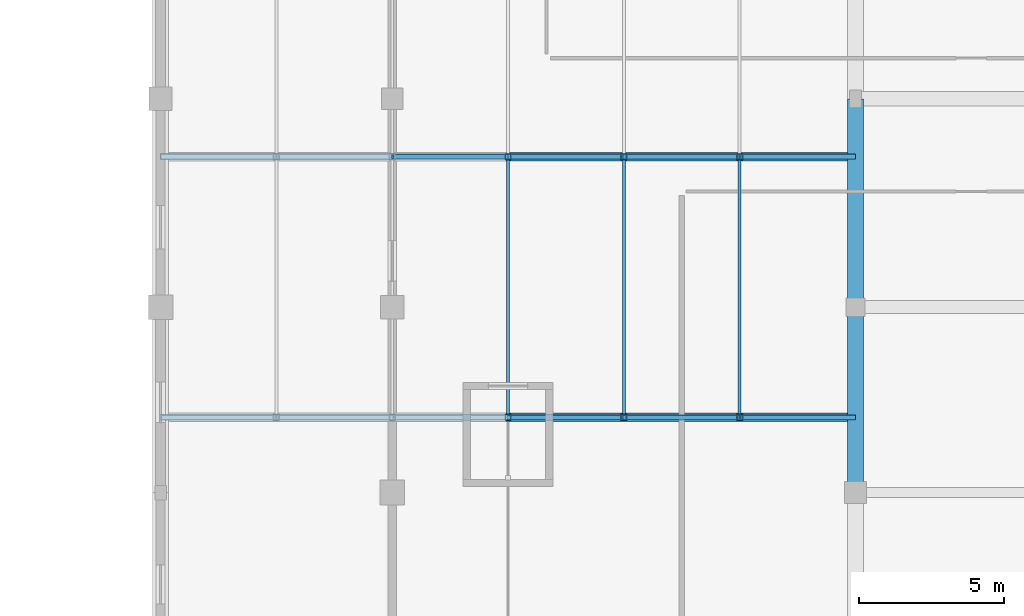
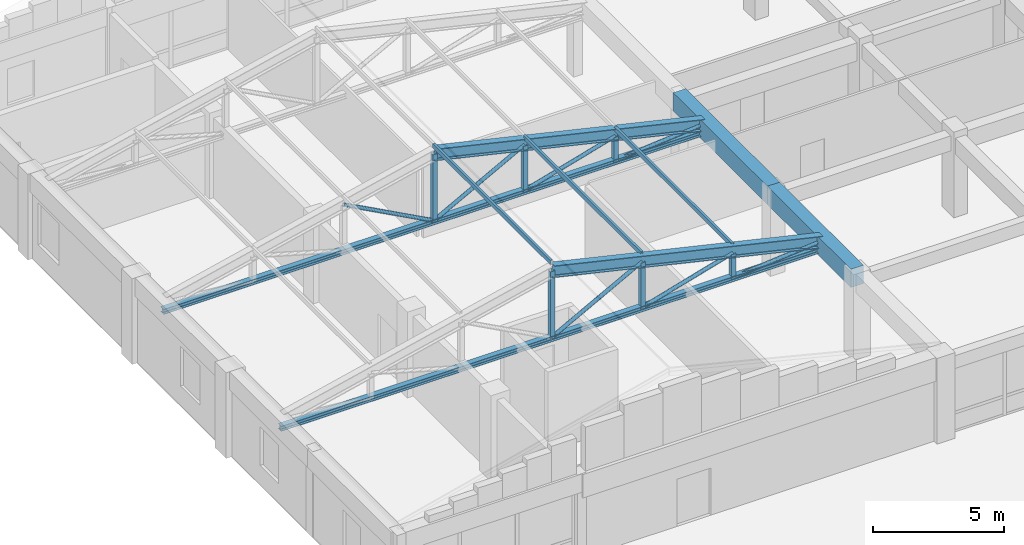
# One storey, part 4 of 27: 20 members, 2 beams.
"""IFC4 building model written with IfcOpenShell, lengths in metres."""

from ifc_helpers import new_model, si_unit, direction, frame, origin, origin_2d, place, context, subcontext, project, spatial, rectangle, hollow_rectangle, hollow_circle, i_section, extrude, material, material_profile, profile_set, type_object, element, save


model = new_model("IFC4")

# Units and contexts
model_context = context("Model", 3, precision=1e-05, world=origin(), true_north=direction((0.0, 1.0)))
body_context = subcontext(model_context, "Body", "Model", "MODEL_VIEW")
ifc_project = project(units=[si_unit("LENGTHUNIT", "METRE"), si_unit("AREAUNIT", "SQUARE_METRE"), si_unit("VOLUMEUNIT", "CUBIC_METRE"), si_unit("PLANEANGLEUNIT", "RADIAN"), si_unit("MASSUNIT", "GRAM", prefix="KILO")], contexts=[model_context])

# Site, building, storey
site_placement = place(None, origin())
site = spatial("IfcSite", under=ifc_project, at=site_placement, CompositionType="ELEMENT")
building_placement = place(site_placement, origin())
building = spatial("IfcBuilding", under=site, at=building_placement, Name="Vellmiral Cinema and Media Centre", CompositionType="ELEMENT")
storey_placement = place(building_placement, frame((0.0, 0.0, 19.800048828125)))
storey = spatial("IfcBuildingStorey", under=building, at=storey_placement, Name="L04", CompositionType="ELEMENT", Elevation=19.800048828125)

# Members
ifc_material_1 = material(Name="Steel S355", Category="steel")
ifc_material_profile_1 = material_profile(ifc_material_1, hollow_rectangle(XDim=0.10009765625, YDim=0.199951171875, WallThickness=0.008056640625, at=origin_2d()), Name="RHS 200x100x8.0")
ifc_profile_set_1 = profile_set([ifc_material_profile_1], Name="Steel S355")
member_type_1 = type_object("IfcMemberType", Name="PRL-RHS200", PredefinedType="PURLIN", material=ifc_profile_set_1)
for number, where, z_axis, x_axis, name in (
    (1, (90.39990234375, 68.199951171875, 6.85693359375), (0.0, 1.0, 0.0), (-1.0, 0.0, 0.0), "Roof Purlin VR-09.3.1"),
    (2, (94.39990234375, 68.199951171875, 5.859619140625), (0.0, 1.0, 0.0), (-1.0, 0.0, 0.0), "Roof Purlin VR-09.4.1"),
    (3, (98.39990234375, 68.199951171875, 4.8623046875), (0.0, 1.0, 0.0), (-1.0, 0.0, 0.0), "Roof Purlin VR-09.5.1"),
):
    element("IfcMember", number, at=place(storey_placement, frame(where, z_axis=z_axis, x_axis=x_axis)), inside=storey, type_object=member_type_1, Name=name, PredefinedType="PURLIN", context=body_context, shape_type="SweptSolid", body=[
        extrude(hollow_rectangle(XDim=0.10009765625, YDim=0.199951171875, WallThickness=0.008056640625, at=origin_2d()), origin(), (0.0, 0.0, 1.0), 9.0),
    ])

# Beams
ifc_material_2 = material(Name="Concrete C40/50", Category="concrete")
ifc_material_profile_2 = material_profile(ifc_material_2, rectangle(XDim=0.550048828125, YDim=0.85009765625, at=origin_2d()), Name="RC 550x850")
ifc_profile_set_2 = profile_set([ifc_material_profile_2], Name="Concrete C40/50")
beam_type = type_object("IfcBeamType", Name="RING-BM-550x850", PredefinedType="BEAM", material=ifc_profile_set_2)
beam_1_placement = place(storey_placement, frame((102.39990234375, 65.60009765625, 3.574951171875), z_axis=(0.0, 1.0, 0.0), x_axis=(-1.0, 0.0, 0.0)))
element("IfcBeam", 4, at=beam_1_placement, inside=storey, type_object=beam_type, Name="Stepped Broadcast Bridge Barrel Vault Ring Beam 11", PredefinedType="BEAM", context=body_context, shape_type="SweptSolid", body=[
    extrude(rectangle(XDim=0.550048828125, YDim=0.85009765625, at=origin_2d()), origin(), (0.0, 0.0, 1.0), 6.39990234375),
])
beam_2_placement = place(storey_placement, frame((102.39990234375, 72.0, 3.574951171875), z_axis=(0.0, 1.0, 0.0), x_axis=(-1.0, 0.0, 0.0)))
element("IfcBeam", 5, at=beam_2_placement, inside=storey, type_object=beam_type, Name="Stepped Broadcast Bridge Barrel Vault Ring Beam 12", PredefinedType="BEAM", context=body_context, shape_type="SweptSolid", body=[
    extrude(rectangle(XDim=0.550048828125, YDim=0.85009765625, at=origin_2d()), origin(), (0.0, 0.0, 1.0), 7.199951171875),
])

# Members
ifc_material_3 = material(Name="Steel S355", Category="steel")
ifc_material_profile_3 = material_profile(ifc_material_3, hollow_circle(Radius=0.084228515625, WallThickness=0.008056640625, at=origin_2d()), Name="CHS 168.3x8.0")
ifc_profile_set_3 = profile_set([ifc_material_profile_3], Name="Steel S355")
member_type_2 = type_object("IfcMemberType", Name="TBR-CHS168", PredefinedType="BRACE", material=ifc_profile_set_3)
member_1_placement = place(storey_placement, frame((90.39990234375, 68.199951171875, 3.349853515625), z_axis=(0.880855783543, 0.0, 0.473384715216), x_axis=(0.0, 1.0, 0.0)))
element("IfcMember", 6, at=member_1_placement, inside=storey, type_object=member_type_2, Name="Roof Truss TR-09.1 Diagonal 4", PredefinedType="BRACE", context=body_context, shape_type="SweptSolid", body=[
    extrude(hollow_circle(Radius=0.084228515625, WallThickness=0.008056640625, at=origin_2d()), origin(), (0.0, 0.0, 1.0), 4.541015625),
])
member_2_placement = place(storey_placement, frame((94.39990234375, 68.199951171875, 3.349853515625), z_axis=(0.960919647927, 0.0, 0.276827437635), x_axis=(0.0, 1.0, 0.0)))
element("IfcMember", 7, at=member_2_placement, inside=storey, type_object=member_type_2, Name="Roof Truss TR-09.1 Diagonal 5", PredefinedType="BRACE", context=body_context, shape_type="SweptSolid", body=[
    extrude(hollow_circle(Radius=0.084228515625, WallThickness=0.008056640625, at=origin_2d()), origin(), (0.0, 0.0, 1.0), 4.16259765625),
])
member_3_placement = place(storey_placement, frame((98.39990234375, 68.199951171875, 3.349853515625), z_axis=(0.996191605278, 0.0, 0.087191086546), x_axis=(0.0, 1.0, 0.0)))
element("IfcMember", 8, at=member_3_placement, inside=storey, type_object=member_type_2, Name="Roof Truss TR-09.1 Diagonal 6", PredefinedType="BRACE", context=body_context, shape_type="SweptSolid", body=[
    extrude(hollow_circle(Radius=0.084228515625, WallThickness=0.008056640625, at=origin_2d()), origin(), (0.0, 0.0, 1.0), 4.015380859375),
])
for number, where, z_axis, x_axis, name in (
    (9, (86.39990234375, 77.199951171875, 5.49951171875), (0.880855783543, 0.0, -0.473384715216), (0.0, 1.0, 0.0), "Roof Truss TR-09.2 Diagonal 3"),
    (10, (90.39990234375, 77.199951171875, 3.349853515625), (0.880855783543, 0.0, 0.473384715216), (0.0, 1.0, 0.0), "Roof Truss TR-09.2 Diagonal 4"),
):
    element("IfcMember", number, at=place(storey_placement, frame(where, z_axis=z_axis, x_axis=x_axis)), inside=storey, type_object=member_type_2, Name=name, PredefinedType="BRACE", context=body_context, shape_type="SweptSolid", body=[
        extrude(hollow_circle(Radius=0.084228515625, WallThickness=0.008056640625, at=origin_2d()), origin(), (0.0, 0.0, 1.0), 4.541015625),
    ])
member_4_placement = place(storey_placement, frame((94.39990234375, 77.199951171875, 3.349853515625), z_axis=(0.960919647927, 0.0, 0.276827437635), x_axis=(0.0, 1.0, 0.0)))
element("IfcMember", 11, at=member_4_placement, inside=storey, type_object=member_type_2, Name="Roof Truss TR-09.2 Diagonal 5", PredefinedType="BRACE", context=body_context, shape_type="SweptSolid", body=[
    extrude(hollow_circle(Radius=0.084228515625, WallThickness=0.008056640625, at=origin_2d()), origin(), (0.0, 0.0, 1.0), 4.16259765625),
])
member_5_placement = place(storey_placement, frame((98.39990234375, 77.199951171875, 3.349853515625), z_axis=(0.996191605278, 0.0, 0.087191086546), x_axis=(0.0, 1.0, 0.0)))
element("IfcMember", 12, at=member_5_placement, inside=storey, type_object=member_type_2, Name="Roof Truss TR-09.2 Diagonal 6", PredefinedType="BRACE", context=body_context, shape_type="SweptSolid", body=[
    extrude(hollow_circle(Radius=0.084228515625, WallThickness=0.008056640625, at=origin_2d()), origin(), (0.0, 0.0, 1.0), 4.015380859375),
])
ifc_material_4 = material(Name="Steel S355", Category="steel")
ifc_material_profile_4 = material_profile(ifc_material_4, hollow_rectangle(XDim=0.199951171875, YDim=0.199951171875, WallThickness=0.010009765625, at=origin_2d()), Name="SHS 200x200x10.0")
ifc_profile_set_4 = profile_set([ifc_material_profile_4], Name="Steel S355")
member_type_3 = type_object("IfcMemberType", Name="TBR-SHS200", PredefinedType="BRACE", material=ifc_profile_set_4)
member_6_placement = place(storey_placement, frame((90.39990234375, 68.199951171875, 3.349853515625), z_axis=(0.0, 0.0, 1.0), x_axis=(1.0, 0.0, 0.0)))
element("IfcMember", 13, at=member_6_placement, inside=storey, type_object=member_type_3, Name="Roof Truss TR-09.1 Post 3", PredefinedType="BRACE", context=body_context, shape_type="SweptSolid", body=[
    extrude(hollow_rectangle(XDim=0.199951171875, YDim=0.199951171875, WallThickness=0.010009765625, at=origin_2d()), origin(), (0.0, 0.0, 1.0), 3.14697265625),
])
member_7_placement = place(storey_placement, frame((94.39990234375, 68.199951171875, 3.349853515625), z_axis=(0.0, 0.0, 1.0), x_axis=(1.0, 0.0, 0.0)))
element("IfcMember", 14, at=member_7_placement, inside=storey, type_object=member_type_3, Name="Roof Truss TR-09.1 Post 4", PredefinedType="BRACE", context=body_context, shape_type="SweptSolid", body=[
    extrude(hollow_rectangle(XDim=0.199951171875, YDim=0.199951171875, WallThickness=0.010009765625, at=origin_2d()), origin(), (0.0, 0.0, 1.0), 2.149658203125),
])
member_8_placement = place(storey_placement, frame((98.39990234375, 68.199951171875, 3.349853515625), z_axis=(0.0, 0.0, 1.0), x_axis=(1.0, 0.0, 0.0)))
element("IfcMember", 15, at=member_8_placement, inside=storey, type_object=member_type_3, Name="Roof Truss TR-09.1 Post 5", PredefinedType="BRACE", context=body_context, shape_type="SweptSolid", body=[
    extrude(hollow_rectangle(XDim=0.199951171875, YDim=0.199951171875, WallThickness=0.010009765625, at=origin_2d()), origin(), (0.0, 0.0, 1.0), 1.15234375),
])
member_9_placement = place(storey_placement, frame((90.39990234375, 77.199951171875, 3.349853515625), z_axis=(0.0, 0.0, 1.0), x_axis=(1.0, 0.0, 0.0)))
element("IfcMember", 16, at=member_9_placement, inside=storey, type_object=member_type_3, Name="Roof Truss TR-09.2 Post 3", PredefinedType="BRACE", context=body_context, shape_type="SweptSolid", body=[
    extrude(hollow_rectangle(XDim=0.199951171875, YDim=0.199951171875, WallThickness=0.010009765625, at=origin_2d()), origin(), (0.0, 0.0, 1.0), 3.14697265625),
])
member_10_placement = place(storey_placement, frame((94.39990234375, 77.199951171875, 3.349853515625), z_axis=(0.0, 0.0, 1.0), x_axis=(1.0, 0.0, 0.0)))
element("IfcMember", 17, at=member_10_placement, inside=storey, type_object=member_type_3, Name="Roof Truss TR-09.2 Post 4", PredefinedType="BRACE", context=body_context, shape_type="SweptSolid", body=[
    extrude(hollow_rectangle(XDim=0.199951171875, YDim=0.199951171875, WallThickness=0.010009765625, at=origin_2d()), origin(), (0.0, 0.0, 1.0), 2.149658203125),
])
member_11_placement = place(storey_placement, frame((98.39990234375, 77.199951171875, 3.349853515625), z_axis=(0.0, 0.0, 1.0), x_axis=(1.0, 0.0, 0.0)))
element("IfcMember", 18, at=member_11_placement, inside=storey, type_object=member_type_3, Name="Roof Truss TR-09.2 Post 5", PredefinedType="BRACE", context=body_context, shape_type="SweptSolid", body=[
    extrude(hollow_rectangle(XDim=0.199951171875, YDim=0.199951171875, WallThickness=0.010009765625, at=origin_2d()), origin(), (0.0, 0.0, 1.0), 1.15234375),
])
ifc_material_5 = material(Name="Steel S355", Category="steel")
ifc_material_profile_5 = material_profile(ifc_material_5, i_section(OverallWidth=0.300048828125, OverallDepth=0.5400390625, WebThickness=0.012451171875, FlangeThickness=0.02392578125, FilletRadius=0.027099609375, at=origin_2d()), Name="HEA 550")
ifc_profile_set_5 = profile_set([ifc_material_profile_5], Name="Steel S355")
member_type_4 = type_object("IfcMemberType", Name="TCH-HEA550", PredefinedType="CHORD", material=ifc_profile_set_5)
for number, where, z_axis, x_axis, name in (
    (19, (90.39990234375, 68.199951171875, 6.496826171875), (0.973897302282, 0.0, -0.226989084777), (0.0, 1.0, 0.0), "Roof Truss TR-09.1 Top Chord E"),
    (20, (90.39990234375, 77.199951171875, 6.496826171875), (0.973897302282, 0.0, -0.226989084777), (0.0, 1.0, 0.0), "Roof Truss TR-09.2 Top Chord E"),
):
    element("IfcMember", number, at=place(storey_placement, frame(where, z_axis=z_axis, x_axis=x_axis)), inside=storey, type_object=member_type_4, Name=name, PredefinedType="CHORD", context=body_context, shape_type="SweptSolid", body=[
        extrude(i_section(OverallWidth=0.300048828125, OverallDepth=0.5400390625, WebThickness=0.012451171875, FlangeThickness=0.02392578125, FilletRadius=0.027099609375, at=origin_2d()), origin(), (0.0, 0.0, 1.0), 12.321533203125),
    ])
ifc_material_6 = material(Name="Steel S355", Category="steel")
ifc_material_profile_6 = material_profile(ifc_material_6, i_section(OverallWidth=0.239990234375, OverallDepth=0.239990234375, WebThickness=0.010009765625, FlangeThickness=0.01708984375, FilletRadius=0.02099609375, at=origin_2d()), Name="HEB 240")
ifc_profile_set_6 = profile_set([ifc_material_profile_6], Name="Steel S355")
member_type_5 = type_object("IfcMemberType", Name="TCH-HEB240", PredefinedType="CHORD", material=ifc_profile_set_6)
for number, where, z_axis, x_axis, name in (
    (21, (78.39990234375, 68.199951171875, 3.349853515625), (1.0, 0.0, 0.0), (0.0, 1.0, 0.0), "Roof Truss TR-09.1 Bottom Chord"),
    (22, (78.39990234375, 77.199951171875, 3.349853515625), (1.0, 0.0, 0.0), (0.0, 1.0, 0.0), "Roof Truss TR-09.2 Bottom Chord"),
):
    element("IfcMember", number, at=place(storey_placement, frame(where, z_axis=z_axis, x_axis=x_axis)), inside=storey, type_object=member_type_5, Name=name, PredefinedType="CHORD", context=body_context, shape_type="SweptSolid", body=[
        extrude(i_section(OverallWidth=0.239990234375, OverallDepth=0.239990234375, WebThickness=0.010009765625, FlangeThickness=0.01708984375, FilletRadius=0.02099609375, at=origin_2d()), origin(), (0.0, 0.0, 1.0), 24.0),
    ])

save(model, "model.ifc")
